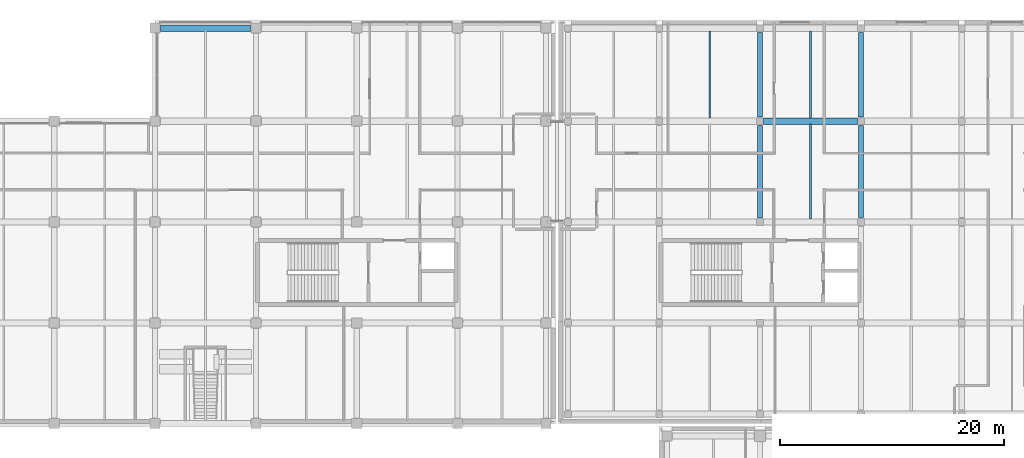
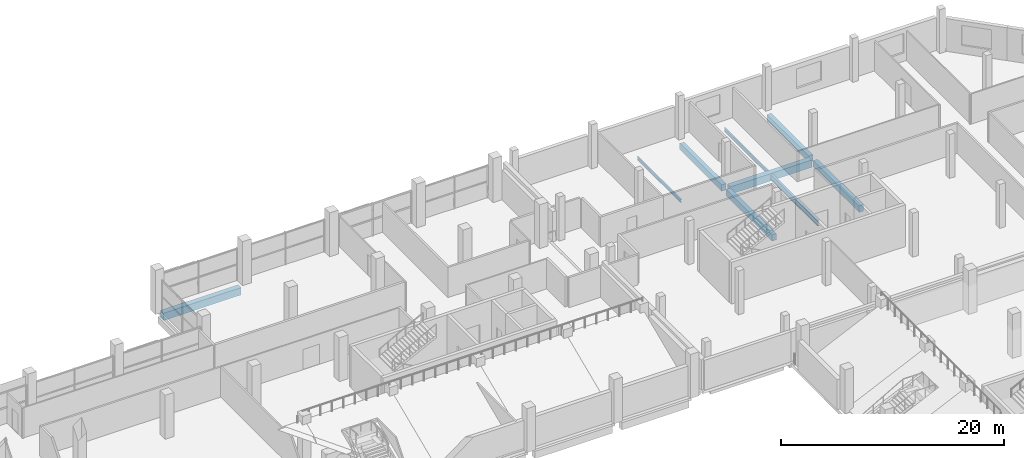
# One storey, part 39 of 100: 9 beams.
"""IFC4 building model written with IfcOpenShell, lengths in metres."""

import ifcopenshell
import ifcopenshell.guid

model = None  # the IFC model being written
_history = None  # IfcOwnerHistory: only IFC2X3 demands one
_inside = {}  # id of a spatial element -> (the spatial element, [elements in it])
_under = {}  # id of a project, library or spatial element -> (it, [spatial elements below it])
_declared = {}  # id of a project -> (the project, [libraries it declares])
_typed = {}  # id of a type object -> (the type object, [elements of that type])
_made_of = {}  # id of a material, layer set ... -> (it, [elements and type objects made of it])


def new_model(schema):
    """Start an empty IFC model of exactly this schema.

    Asked for "IFC4X3", IfcOpenShell would pick the latest addendum, in which some entities
    have other attributes; the version numbers below select the first issue.
    IFC2X3 requires an IfcOwnerHistory on every rooted entity: one is made here for all.
    """
    global model, _history
    if schema == "IFC4X3":
        model = ifcopenshell.file(schema_version=(4, 3, 0, 0))
    else:
        model = ifcopenshell.file(schema=schema)
    _inside.clear()
    _under.clear()
    _declared.clear()
    _typed.clear()
    _made_of.clear()
    _history = None
    if model.schema == "IFC2X3":
        org = make("IfcOrganization", Name="unknown")
        user = make(
            "IfcPersonAndOrganization",
            ThePerson=make("IfcPerson", FamilyName="unknown"),
            TheOrganization=org,
        )
        app = make(
            "IfcApplication",
            ApplicationDeveloper=org,
            Version="unknown",
            ApplicationFullName="unknown",
            ApplicationIdentifier="unknown",
        )
        _history = make(
            "IfcOwnerHistory",
            OwningUser=user,
            OwningApplication=app,
            ChangeAction="ADDED",
            CreationDate=0,
        )
    return model


def make(cls, **values):
    """One entity of the class cls with the attributes given. An attribute that is None is left unset."""
    return model.create_entity(
        cls, **{name: value for name, value in values.items() if value is not None}
    )


def rooted(cls, **values):
    """An entity with a GlobalId (a new one), such as an element, a storey or a relation."""
    return make(cls, GlobalId=ifcopenshell.guid.new(), OwnerHistory=_history, **values)


def si_unit(unit_type, name, prefix=None):
    """IfcSIUnit, for example si_unit("LENGTHUNIT", "METRE", prefix="MILLI")."""
    return make("IfcSIUnit", UnitType=unit_type, Prefix=prefix, Name=name)


def assignment(units):
    """IfcUnitAssignment: the units of a project."""
    return None if units is None else make("IfcUnitAssignment", Units=units)


def point(xyz):
    """IfcCartesianPoint."""
    return None if xyz is None else make("IfcCartesianPoint", Coordinates=xyz)


def direction(xyz):
    """IfcDirection."""
    return None if xyz is None else make("IfcDirection", DirectionRatios=xyz)


def frame(location, z_axis=None, x_axis=None):
    """IfcAxis2Placement3D, a coordinate frame: its origin and axes. An axis left out is left unset."""
    return make(
        "IfcAxis2Placement3D",
        Location=point(location),
        Axis=direction(z_axis),
        RefDirection=direction(x_axis),
    )


def frame_2d(location, x_axis=None):
    """IfcAxis2Placement2D, a coordinate frame in the plane: its origin and x axis."""
    return make(
        "IfcAxis2Placement2D", Location=point(location), RefDirection=direction(x_axis)
    )


def origin():
    """The frame at (0, 0, 0) with its axes left unset."""
    return frame((0.0, 0.0, 0.0))


def origin_2d():
    """The frame at (0, 0) in the plane with its x axis left unset."""
    return frame_2d((0.0, 0.0))


def place(relative_to, where):
    """IfcLocalPlacement: puts the frame where relative to a parent placement (None: the world)."""
    return make(
        "IfcLocalPlacement", PlacementRelTo=relative_to, RelativePlacement=where
    )


def context(
    kind, dimensions, precision=None, world=None, true_north=None, identifier=None
):
    """IfcGeometricRepresentationContext, for example the 3D "Model" context."""
    return make(
        "IfcGeometricRepresentationContext",
        ContextIdentifier=identifier,
        ContextType=kind,
        CoordinateSpaceDimension=dimensions,
        Precision=precision,
        WorldCoordinateSystem=world,
        TrueNorth=true_north,
    )


def subcontext(parent, identifier, kind, view, scale=None):
    """IfcGeometricRepresentationSubContext, for example "Body" below "Model"."""
    return make(
        "IfcGeometricRepresentationSubContext",
        ContextIdentifier=identifier,
        ContextType=kind,
        ParentContext=parent,
        TargetScale=scale,
        TargetView=view,
    )


def project(units=None, contexts=None):
    """IfcProject with its units and contexts."""
    return rooted(
        "IfcProject",
        Name="project",
        RepresentationContexts=contexts,
        UnitsInContext=assignment(units),
    )


def spatial(cls, under=None, at=None, **own):
    """A site, building, storey or space (cls), placed at a placement, below another one or the project."""
    s = rooted(cls, ObjectPlacement=at, **own)
    if under is not None:
        _under.setdefault(under.id(), (under, []))[1].append(s)
    return s


def profile(cls, at=None, kind="AREA", **sizes):
    """A parametric profile (cls). Its sizes go by their IFC names, for example OverallWidth=200.0."""
    return make(cls, ProfileType=kind, Position=at, **sizes)


def rectangle(**sizes):
    """IfcRectangleProfileDef."""
    return profile("IfcRectangleProfileDef", **sizes)


def i_section(**sizes):
    """IfcIShapeProfileDef."""
    return profile("IfcIShapeProfileDef", **sizes)


def extrude(swept, where, along, depth):
    """IfcExtrudedAreaSolid: the profile swept, set in the frame where, extruded along a direction by depth."""
    return make(
        "IfcExtrudedAreaSolid",
        SweptArea=swept,
        Position=where,
        ExtrudedDirection=direction(along),
        Depth=depth,
    )


def shape(context_of_items, identifier, shape_type, items):
    """IfcShapeRepresentation: the items that make up one representation, for example the "Body"."""
    return make(
        "IfcShapeRepresentation",
        ContextOfItems=context_of_items,
        RepresentationIdentifier=identifier,
        RepresentationType=shape_type,
        Items=items,
    )


def material(Name=None, Category=None):
    """IfcMaterial."""
    return make("IfcMaterial", Name=Name, Category=Category)


def material_profile(
    of_material, cross_section, Name=None, Category=None, Priority=None
):
    """IfcMaterialProfile: a cross section and its material."""
    return make(
        "IfcMaterialProfile",
        Name=Name,
        Material=of_material,
        Profile=cross_section,
        Priority=Priority,
        Category=Category,
    )


def profile_set(profiles, Name=None, composite=None):
    """IfcMaterialProfileSet."""
    return make(
        "IfcMaterialProfileSet",
        Name=Name,
        MaterialProfiles=profiles,
        CompositeProfile=composite,
    )


def made_of(thing, what):
    """Note that an element or type object is made of a material, layer set ...; save() writes the relation."""
    if what is not None:
        _made_of.setdefault(what.id(), (what, []))[1].append(thing)
    return thing


def type_object(cls, material=None, **own):
    """A type object (cls), such as IfcWallType, which elements share."""
    return made_of(rooted(cls, **own), material)


def element(
    cls,
    number,
    at=None,
    inside=None,
    cuts=None,
    type_object=None,
    material=None,
    context=None,
    identifier="Body",
    shape_type=None,
    held_by="IfcProductDefinitionShape",
    body=None,
    shapes=None,
    **own,
):
    """One element of the class cls, such as IfcWall. Its Tag is "e" and its number.

    at: its placement. inside: the storey or other place that contains it. cuts: it is an
    opening in that element (IfcRelVoidsElement). A single representation is given by context,
    identifier, shape_type and body (its items); several are given by shapes. held_by: the class
    of the entity that holds the representations. save() writes the other relations.
    """
    e = rooted(cls, Tag="e%d" % number, ObjectPlacement=at, **own)
    if body is not None:
        shapes = [shape(context, identifier, shape_type, body)]
    if shapes is not None:
        e.Representation = make(held_by, Representations=shapes)
    if inside is not None:
        _inside.setdefault(inside.id(), (inside, []))[1].append(e)
    if cuts is not None:
        rooted(
            "IfcRelVoidsElement", RelatingBuildingElement=cuts, RelatedOpeningElement=e
        )
    if type_object is not None:
        _typed.setdefault(type_object.id(), (type_object, []))[1].append(e)
    return made_of(e, material)


def aggregate(whole, parts):
    """IfcRelAggregates: a whole, such as a stair, and the parts it consists of."""
    return rooted("IfcRelAggregates", RelatingObject=whole, RelatedObjects=parts)


def save(model, path):
    """Write the relations noted so far, then the file.

    IfcRelAggregates (storeys below a building ...), IfcRelContainedInSpatialStructure (elements
    in a storey), IfcRelDefinesByType, IfcRelAssociatesMaterial and IfcRelDeclares: one each for
    every whole, place, type object, material and project.
    """
    for whole, parts in _under.values():
        aggregate(whole, parts)
    for where, things in _inside.values():
        rooted(
            "IfcRelContainedInSpatialStructure",
            RelatedElements=things,
            RelatingStructure=where,
        )
    for kind, things in _typed.values():
        rooted("IfcRelDefinesByType", RelatedObjects=things, RelatingType=kind)
    for what, things in _made_of.values():
        rooted("IfcRelAssociatesMaterial", RelatedObjects=things, RelatingMaterial=what)
    for by, libraries in _declared.values():
        rooted("IfcRelDeclares", RelatingContext=by, RelatedDefinitions=libraries)
    model.write(path)


model = new_model("IFC4")

# Units and contexts
model_context = context("Model", 3, precision=1e-05, world=origin(), true_north=direction((0.0, 1.0)))
body_context = subcontext(model_context, "Body", "Model", "MODEL_VIEW")
ifc_project = project(units=[si_unit("LENGTHUNIT", "METRE"), si_unit("AREAUNIT", "SQUARE_METRE"), si_unit("VOLUMEUNIT", "CUBIC_METRE"), si_unit("PLANEANGLEUNIT", "RADIAN"), si_unit("MASSUNIT", "GRAM", prefix="KILO"), si_unit("THERMODYNAMICTEMPERATUREUNIT", "KELVIN"), si_unit("POWERUNIT", "WATT")], contexts=[model_context])

# Site, building, storey
site_placement = place(None, origin())
site = spatial("IfcSite", under=ifc_project, at=site_placement, CompositionType="ELEMENT")
building_placement = place(site_placement, origin())
building = spatial("IfcBuilding", under=site, at=building_placement, Name="Sindhuravela Promenade Stadium", CompositionType="ELEMENT")
storey_placement = place(building_placement, frame((0.0, 0.0, 4.800048828125)))
storey = spatial("IfcBuildingStorey", under=building, at=storey_placement, Name="L01", CompositionType="ELEMENT", Elevation=4.800048828125)

# Beams
ifc_material_1 = material(Name="Concrete M40", Category="concrete")
ifc_material_profile_1 = material_profile(ifc_material_1, rectangle(XDim=0.449951171875, YDim=0.699951171875, at=origin_2d()), Name="RC 450x700")
ifc_profile_set_1 = profile_set([ifc_material_profile_1], Name="Concrete M40")
beam_type_1 = type_object("IfcBeamType", Name="RC-BM-450x700", PredefinedType="BEAM", material=ifc_profile_set_1)
beam_1_placement = place(storey_placement, frame((180.0, 144.389892578125, -0.650146484375), z_axis=(0.0, 1.0, 0.0), x_axis=(-1.0, 0.0, 0.0)))
element("IfcBeam", 1, at=beam_1_placement, inside=storey, type_object=beam_type_1, Name="Primary beam GB07 Pavilion NE L01", PredefinedType="BEAM", context=body_context, shape_type="SweptSolid", body=[
    extrude(rectangle(XDim=0.449951171875, YDim=0.699951171875, at=origin_2d()), origin(), (0.0, 0.0, 1.0), 8.22021484375),
])
beam_2_placement = place(storey_placement, frame((180.0, 153.389892578125, -0.650146484375), z_axis=(0.0, 1.0, 0.0), x_axis=(-1.0, 0.0, 0.0)))
element("IfcBeam", 2, at=beam_2_placement, inside=storey, type_object=beam_type_1, Name="Primary beam GB07 Pavilion NE L01", PredefinedType="BEAM", context=body_context, shape_type="SweptSolid", body=[
    extrude(rectangle(XDim=0.449951171875, YDim=0.699951171875, at=origin_2d()), origin(), (0.0, 0.0, 1.0), 7.52001953125),
])
beam_3_placement = place(storey_placement, frame((189.0, 144.389892578125, -0.650146484375), z_axis=(0.0, 1.0, 0.0), x_axis=(-1.0, 0.0, 0.0)))
element("IfcBeam", 3, at=beam_3_placement, inside=storey, type_object=beam_type_1, Name="Primary beam GB07 Pavilion NE L01", PredefinedType="BEAM", context=body_context, shape_type="SweptSolid", body=[
    extrude(rectangle(XDim=0.449951171875, YDim=0.699951171875, at=origin_2d()), origin(), (0.0, 0.0, 1.0), 8.22021484375),
])
beam_4_placement = place(storey_placement, frame((189.0, 153.389892578125, -0.650146484375), z_axis=(0.0, 1.0, 0.0), x_axis=(-1.0, 0.0, 0.0)))
element("IfcBeam", 4, at=beam_4_placement, inside=storey, type_object=beam_type_1, Name="Primary beam GB07 Pavilion NE L01", PredefinedType="BEAM", context=body_context, shape_type="SweptSolid", body=[
    extrude(rectangle(XDim=0.449951171875, YDim=0.699951171875, at=origin_2d()), origin(), (0.0, 0.0, 1.0), 7.52001953125),
])
ifc_material_profile_2 = material_profile(ifc_material_1, rectangle(XDim=0.550048828125, YDim=0.800048828125, at=origin_2d()), Name="RC 550x800")
ifc_profile_set_2 = profile_set([ifc_material_profile_2], Name="Concrete M40")
beam_type_2 = type_object("IfcBeamType", Name="RC-BM-550x800", PredefinedType="BEAM", material=ifc_profile_set_2)
beam_5_placement = place(storey_placement, frame((126.489990234375, 161.300048828125, -0.699951171875), z_axis=(1.0, 0.0, 0.0), x_axis=(0.0, 1.0, 0.0)))
element("IfcBeam", 5, at=beam_5_placement, inside=storey, type_object=beam_type_2, Name="Primary girder GB05 NORTH L01", PredefinedType="BEAM", context=body_context, shape_type="SweptSolid", body=[
    extrude(rectangle(XDim=0.550048828125, YDim=0.800048828125, at=origin_2d()), origin(), (0.0, 0.0, 1.0), 8.02001953125),
])
beam_6_placement = place(storey_placement, frame((180.2900390625, 153.0, -0.699951171875), z_axis=(1.0, 0.0, 0.0), x_axis=(0.0, 1.0, 0.0)))
element("IfcBeam", 6, at=beam_6_placement, inside=storey, type_object=beam_type_2, Name="Primary girder GB05 Pavilion NE L01", PredefinedType="BEAM", context=body_context, shape_type="SweptSolid", body=[
    extrude(rectangle(XDim=0.550048828125, YDim=0.800048828125, at=origin_2d()), origin(), (0.0, 0.0, 1.0), 8.419921875),
])
ifc_material_2 = material(Name="Steel E350 (IS 2062 E350BR)", Category="steel")
ifc_material_profile_3 = material_profile(ifc_material_2, i_section(OverallWidth=0.139892578125, OverallDepth=0.35009765625, WebThickness=0.008056640625, FlangeThickness=0.01416015625, FilletRadius=0.013916015625, at=origin_2d()), Name="ISMB 350")
ifc_profile_set_3 = profile_set([ifc_material_profile_3], Name="Steel E350 (IS 2062 E350BR)")
beam_type_3 = type_object("IfcBeamType", Name="ST-BM-MB350", PredefinedType="JOIST", material=ifc_profile_set_3)
beam_7_placement = place(storey_placement, frame((175.5, 153.264892578125, -0.47509765625), z_axis=(0.0, 1.0, 0.0), x_axis=(-1.0, 0.0, 0.0)))
element("IfcBeam", 7, at=beam_7_placement, inside=storey, type_object=beam_type_3, Name="Secondary floor joist SB04 Pavilion NE L01", PredefinedType="JOIST", context=body_context, shape_type="SweptSolid", body=[
    extrude(i_section(OverallWidth=0.139892578125, OverallDepth=0.35009765625, WebThickness=0.008056640625, FlangeThickness=0.01416015625, FilletRadius=0.013916015625, at=origin_2d()), origin(), (0.0, 0.0, 1.0), 7.77001953125),
])
ifc_material_profile_4 = material_profile(ifc_material_2, i_section(OverallWidth=0.139892578125, OverallDepth=0.39990234375, WebThickness=0.0087890625, FlangeThickness=0.01611328125, FilletRadius=0.013916015625, at=origin_2d()), Name="ISMB 400")
ifc_profile_set_4 = profile_set([ifc_material_profile_4], Name="Steel E350 (IS 2062 E350BR)")
beam_type_4 = type_object("IfcBeamType", Name="ST-BM-MB400", PredefinedType="BEAM", material=ifc_profile_set_4)
beam_8_placement = place(storey_placement, frame((184.5, 153.264892578125, -0.5), z_axis=(0.0, 1.0, 0.0), x_axis=(-1.0, 0.0, 0.0)))
element("IfcBeam", 8, at=beam_8_placement, inside=storey, type_object=beam_type_4, Name="Secondary floor joist SB05 Pavilion NE L01", PredefinedType="BEAM", context=body_context, shape_type="SweptSolid", body=[
    extrude(i_section(OverallWidth=0.139892578125, OverallDepth=0.39990234375, WebThickness=0.0087890625, FlangeThickness=0.01611328125, FilletRadius=0.013916015625, at=origin_2d()), origin(), (0.0, 0.0, 1.0), 7.77001953125),
])
ifc_material_profile_5 = material_profile(ifc_material_2, i_section(OverallWidth=0.2099609375, OverallDepth=0.60009765625, WebThickness=0.011962890625, FlangeThickness=0.020751953125, FilletRadius=0.02001953125, at=origin_2d()), Name="ISMB 600")
ifc_profile_set_5 = profile_set([ifc_material_profile_5], Name="Steel E350 (IS 2062 E350BR)")
beam_type_5 = type_object("IfcBeamType", Name="ST-BM-MB600", PredefinedType="BEAM", material=ifc_profile_set_5)
beam_9_placement = place(storey_placement, frame((184.5, 144.264892578125, -0.60009765625), z_axis=(0.0, 1.0, 0.0), x_axis=(-1.0, 0.0, 0.0)))
element("IfcBeam", 9, at=beam_9_placement, inside=storey, type_object=beam_type_5, Name="Secondary floor joist SB09 Pavilion NE L01", PredefinedType="BEAM", context=body_context, shape_type="SweptSolid", body=[
    extrude(i_section(OverallWidth=0.2099609375, OverallDepth=0.60009765625, WebThickness=0.011962890625, FlangeThickness=0.020751953125, FilletRadius=0.02001953125, at=origin_2d()), origin(), (0.0, 0.0, 1.0), 8.47021484375),
])

save(model, "model.ifc")
